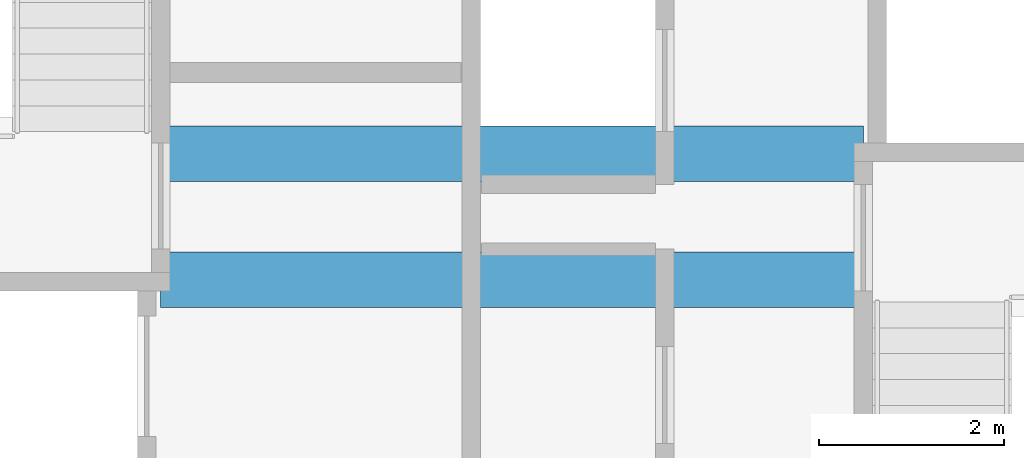
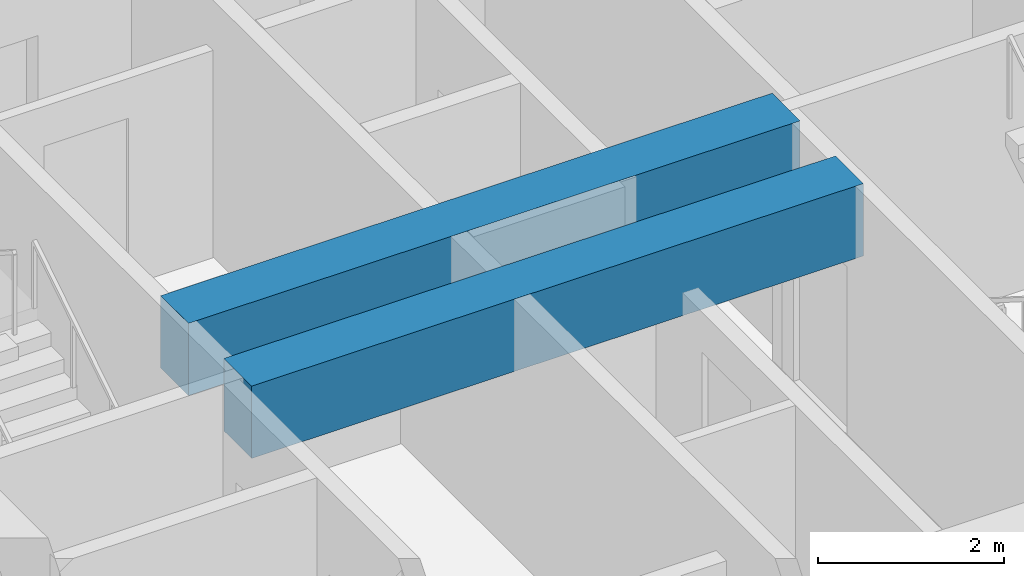
# One storey, part 11 of 54: 2 beams.
"""IFC4 building model written with IfcOpenShell, lengths in metres."""

from ifc_helpers import new_model, si_unit, direction, frame, origin, origin_2d, place, context, subcontext, project, spatial, rectangle, extrude, material, material_profile, profile_set, type_object, element, save


model = new_model("IFC4")

# Units and contexts
model_context = context("Model", 3, precision=1e-05, world=origin(), true_north=direction((0.0, 1.0)))
body_context = subcontext(model_context, "Body", "Model", "MODEL_VIEW")
ifc_project = project(units=[si_unit("LENGTHUNIT", "METRE"), si_unit("AREAUNIT", "SQUARE_METRE"), si_unit("VOLUMEUNIT", "CUBIC_METRE"), si_unit("PLANEANGLEUNIT", "RADIAN"), si_unit("MASSUNIT", "GRAM", prefix="KILO")], contexts=[model_context])

# Site, building, storey
site_placement = place(None, origin())
site = spatial("IfcSite", under=ifc_project, at=site_placement, CompositionType="ELEMENT")
building_placement = place(site_placement, origin())
building = spatial("IfcBuilding", under=site, at=building_placement, Name="Tashvorn Skyway Center", CompositionType="ELEMENT")
storey_placement = place(building_placement, frame((0.0, 0.0, 135.699951171875)))
storey = spatial("IfcBuildingStorey", under=building, at=storey_placement, Name="L36", CompositionType="ELEMENT", Elevation=135.699951171875)

# Beams
ifc_material = material(Name="Concrete C60/75", Category="concrete")
ifc_material_profile = material_profile(ifc_material, rectangle(XDim=0.60009765625, YDim=0.949951171875, at=origin_2d()), Name="RCB600x950")
ifc_profile_set = profile_set([ifc_material_profile], Name="Concrete C60/75")
beam_type = type_object("IfcBeamType", Name="BM-LINTEL-RCB600x950", PredefinedType="LINTEL", material=ifc_profile_set)
for number, where, z_axis, x_axis, name in (
    (1, (38.199951171875, 32.679931640625, 2.89501953125), (1.0, 0.0, 0.0), (0.0, 1.0, 0.0), "Tower 1 L36 Core Coupling Beam CN"),
    (2, (38.199951171875, 31.320068359375, 2.89501953125), (1.0, 0.0, 0.0), (0.0, 1.0, 0.0), "Tower 1 L36 Core Coupling Beam CS"),
):
    element("IfcBeam", number, at=place(storey_placement, frame(where, z_axis=z_axis, x_axis=x_axis)), inside=storey, type_object=beam_type, Name=name, PredefinedType="LINTEL", context=body_context, shape_type="SweptSolid", body=[
        extrude(rectangle(XDim=0.60009765625, YDim=0.949951171875, at=origin_2d()), origin(), (0.0, 0.0, 1.0), 7.60009765625),
    ])

save(model, "model.ifc")
